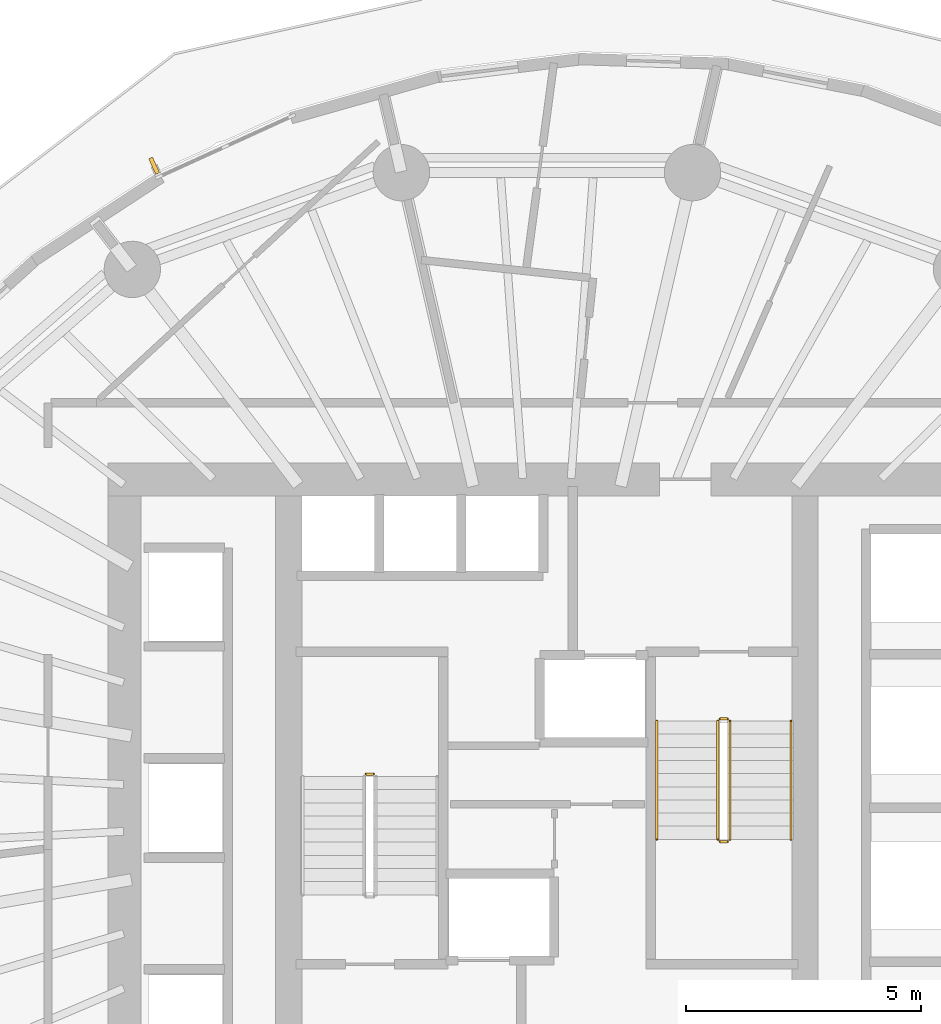
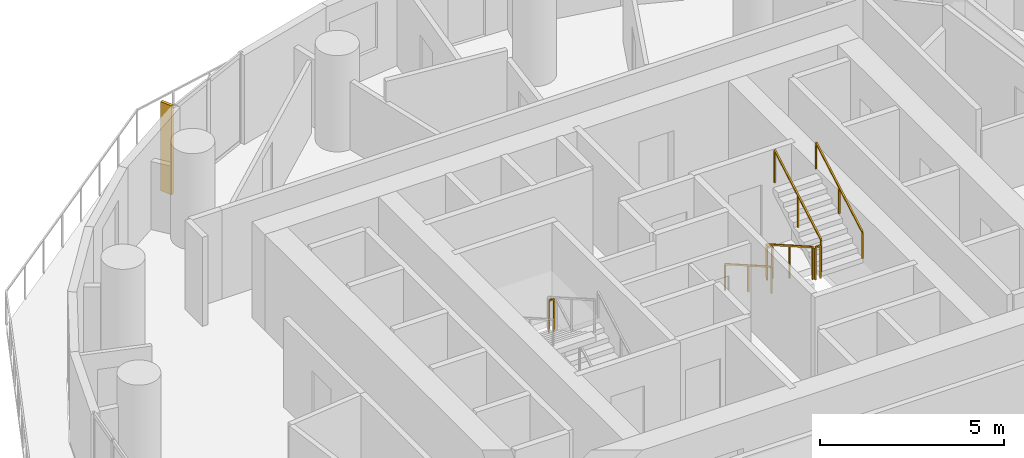
# One storey, part 13 of 14: 7 railings, 1 shading device.
"""IFC4 building model written with IfcOpenShell, lengths in metres."""

import ifcopenshell
import ifcopenshell.guid

model = None  # the IFC model being written
_history = None  # IfcOwnerHistory: only IFC2X3 demands one
_inside = {}  # id of a spatial element -> (the spatial element, [elements in it])
_under = {}  # id of a project, library or spatial element -> (it, [spatial elements below it])
_declared = {}  # id of a project -> (the project, [libraries it declares])
_typed = {}  # id of a type object -> (the type object, [elements of that type])
_made_of = {}  # id of a material, layer set ... -> (it, [elements and type objects made of it])


def new_model(schema):
    """Start an empty IFC model of exactly this schema.

    Asked for "IFC4X3", IfcOpenShell would pick the latest addendum, in which some entities
    have other attributes; the version numbers below select the first issue.
    IFC2X3 requires an IfcOwnerHistory on every rooted entity: one is made here for all.
    """
    global model, _history
    if schema == "IFC4X3":
        model = ifcopenshell.file(schema_version=(4, 3, 0, 0))
    else:
        model = ifcopenshell.file(schema=schema)
    _inside.clear()
    _under.clear()
    _declared.clear()
    _typed.clear()
    _made_of.clear()
    _history = None
    if model.schema == "IFC2X3":
        org = make("IfcOrganization", Name="unknown")
        user = make(
            "IfcPersonAndOrganization",
            ThePerson=make("IfcPerson", FamilyName="unknown"),
            TheOrganization=org,
        )
        app = make(
            "IfcApplication",
            ApplicationDeveloper=org,
            Version="unknown",
            ApplicationFullName="unknown",
            ApplicationIdentifier="unknown",
        )
        _history = make(
            "IfcOwnerHistory",
            OwningUser=user,
            OwningApplication=app,
            ChangeAction="ADDED",
            CreationDate=0,
        )
    return model


def make(cls, **values):
    """One entity of the class cls with the attributes given. An attribute that is None is left unset."""
    return model.create_entity(
        cls, **{name: value for name, value in values.items() if value is not None}
    )


def rooted(cls, **values):
    """An entity with a GlobalId (a new one), such as an element, a storey or a relation."""
    return make(cls, GlobalId=ifcopenshell.guid.new(), OwnerHistory=_history, **values)


def si_unit(unit_type, name, prefix=None):
    """IfcSIUnit, for example si_unit("LENGTHUNIT", "METRE", prefix="MILLI")."""
    return make("IfcSIUnit", UnitType=unit_type, Prefix=prefix, Name=name)


def assignment(units):
    """IfcUnitAssignment: the units of a project."""
    return None if units is None else make("IfcUnitAssignment", Units=units)


def point(xyz):
    """IfcCartesianPoint."""
    return None if xyz is None else make("IfcCartesianPoint", Coordinates=xyz)


def direction(xyz):
    """IfcDirection."""
    return None if xyz is None else make("IfcDirection", DirectionRatios=xyz)


def frame(location, z_axis=None, x_axis=None):
    """IfcAxis2Placement3D, a coordinate frame: its origin and axes. An axis left out is left unset."""
    return make(
        "IfcAxis2Placement3D",
        Location=point(location),
        Axis=direction(z_axis),
        RefDirection=direction(x_axis),
    )


def frame_2d(location, x_axis=None):
    """IfcAxis2Placement2D, a coordinate frame in the plane: its origin and x axis."""
    return make(
        "IfcAxis2Placement2D", Location=point(location), RefDirection=direction(x_axis)
    )


def origin():
    """The frame at (0, 0, 0) with its axes left unset."""
    return frame((0.0, 0.0, 0.0))


def origin_2d():
    """The frame at (0, 0) in the plane with its x axis left unset."""
    return frame_2d((0.0, 0.0))


def place(relative_to, where):
    """IfcLocalPlacement: puts the frame where relative to a parent placement (None: the world)."""
    return make(
        "IfcLocalPlacement", PlacementRelTo=relative_to, RelativePlacement=where
    )


def context(
    kind, dimensions, precision=None, world=None, true_north=None, identifier=None
):
    """IfcGeometricRepresentationContext, for example the 3D "Model" context."""
    return make(
        "IfcGeometricRepresentationContext",
        ContextIdentifier=identifier,
        ContextType=kind,
        CoordinateSpaceDimension=dimensions,
        Precision=precision,
        WorldCoordinateSystem=world,
        TrueNorth=true_north,
    )


def subcontext(parent, identifier, kind, view, scale=None):
    """IfcGeometricRepresentationSubContext, for example "Body" below "Model"."""
    return make(
        "IfcGeometricRepresentationSubContext",
        ContextIdentifier=identifier,
        ContextType=kind,
        ParentContext=parent,
        TargetScale=scale,
        TargetView=view,
    )


def project(units=None, contexts=None):
    """IfcProject with its units and contexts."""
    return rooted(
        "IfcProject",
        Name="project",
        RepresentationContexts=contexts,
        UnitsInContext=assignment(units),
    )


def spatial(cls, under=None, at=None, **own):
    """A site, building, storey or space (cls), placed at a placement, below another one or the project."""
    s = rooted(cls, ObjectPlacement=at, **own)
    if under is not None:
        _under.setdefault(under.id(), (under, []))[1].append(s)
    return s


def profile(cls, at=None, kind="AREA", **sizes):
    """A parametric profile (cls). Its sizes go by their IFC names, for example OverallWidth=200.0."""
    return make(cls, ProfileType=kind, Position=at, **sizes)


def rectangle(**sizes):
    """IfcRectangleProfileDef."""
    return profile("IfcRectangleProfileDef", **sizes)


def extrude(swept, where, along, depth):
    """IfcExtrudedAreaSolid: the profile swept, set in the frame where, extruded along a direction by depth."""
    return make(
        "IfcExtrudedAreaSolid",
        SweptArea=swept,
        Position=where,
        ExtrudedDirection=direction(along),
        Depth=depth,
    )


def shape(context_of_items, identifier, shape_type, items):
    """IfcShapeRepresentation: the items that make up one representation, for example the "Body"."""
    return make(
        "IfcShapeRepresentation",
        ContextOfItems=context_of_items,
        RepresentationIdentifier=identifier,
        RepresentationType=shape_type,
        Items=items,
    )


def material(Name=None, Category=None):
    """IfcMaterial."""
    return make("IfcMaterial", Name=Name, Category=Category)


def layer(
    of_material, thickness, ventilated=None, Name=None, Category=None, Priority=None
):
    """IfcMaterialLayer: one layer of a wall or slab, of a material (None: an air gap)."""
    return make(
        "IfcMaterialLayer",
        Material=of_material,
        LayerThickness=thickness,
        IsVentilated=ventilated,
        Name=Name,
        Category=Category,
        Priority=Priority,
    )


def layer_set(layers, Name=None):
    """IfcMaterialLayerSet."""
    return make("IfcMaterialLayerSet", MaterialLayers=layers, LayerSetName=Name)


def made_of(thing, what):
    """Note that an element or type object is made of a material, layer set ...; save() writes the relation."""
    if what is not None:
        _made_of.setdefault(what.id(), (what, []))[1].append(thing)
    return thing


def type_object(cls, material=None, **own):
    """A type object (cls), such as IfcWallType, which elements share."""
    return made_of(rooted(cls, **own), material)


def element(
    cls,
    number,
    at=None,
    inside=None,
    cuts=None,
    type_object=None,
    material=None,
    context=None,
    identifier="Body",
    shape_type=None,
    held_by="IfcProductDefinitionShape",
    body=None,
    shapes=None,
    **own,
):
    """One element of the class cls, such as IfcWall. Its Tag is "e" and its number.

    at: its placement. inside: the storey or other place that contains it. cuts: it is an
    opening in that element (IfcRelVoidsElement). A single representation is given by context,
    identifier, shape_type and body (its items); several are given by shapes. held_by: the class
    of the entity that holds the representations. save() writes the other relations.
    """
    e = rooted(cls, Tag="e%d" % number, ObjectPlacement=at, **own)
    if body is not None:
        shapes = [shape(context, identifier, shape_type, body)]
    if shapes is not None:
        e.Representation = make(held_by, Representations=shapes)
    if inside is not None:
        _inside.setdefault(inside.id(), (inside, []))[1].append(e)
    if cuts is not None:
        rooted(
            "IfcRelVoidsElement", RelatingBuildingElement=cuts, RelatedOpeningElement=e
        )
    if type_object is not None:
        _typed.setdefault(type_object.id(), (type_object, []))[1].append(e)
    return made_of(e, material)


def aggregate(whole, parts):
    """IfcRelAggregates: a whole, such as a stair, and the parts it consists of."""
    return rooted("IfcRelAggregates", RelatingObject=whole, RelatedObjects=parts)


def save(model, path):
    """Write the relations noted so far, then the file.

    IfcRelAggregates (storeys below a building ...), IfcRelContainedInSpatialStructure (elements
    in a storey), IfcRelDefinesByType, IfcRelAssociatesMaterial and IfcRelDeclares: one each for
    every whole, place, type object, material and project.
    """
    for whole, parts in _under.values():
        aggregate(whole, parts)
    for where, things in _inside.values():
        rooted(
            "IfcRelContainedInSpatialStructure",
            RelatedElements=things,
            RelatingStructure=where,
        )
    for kind, things in _typed.values():
        rooted("IfcRelDefinesByType", RelatedObjects=things, RelatingType=kind)
    for what, things in _made_of.values():
        rooted("IfcRelAssociatesMaterial", RelatedObjects=things, RelatingMaterial=what)
    for by, libraries in _declared.values():
        rooted("IfcRelDeclares", RelatingContext=by, RelatedDefinitions=libraries)
    model.write(path)


model = new_model("IFC4")

# Units and contexts
model_context = context("Model", 3, precision=1e-05, world=origin(), true_north=direction((0.0, 1.0)))
body_context = subcontext(model_context, "Body", "Model", "MODEL_VIEW")
ifc_project = project(units=[si_unit("LENGTHUNIT", "METRE"), si_unit("AREAUNIT", "SQUARE_METRE"), si_unit("VOLUMEUNIT", "CUBIC_METRE"), si_unit("PLANEANGLEUNIT", "RADIAN"), si_unit("MASSUNIT", "GRAM", prefix="KILO")], contexts=[model_context])

# Site, building, storey
site_placement = place(None, origin())
site = spatial("IfcSite", under=ifc_project, at=site_placement, CompositionType="ELEMENT")
building_placement = place(site_placement, origin())
building = spatial("IfcBuilding", under=site, at=building_placement, Name="Veldorim Arch Residences", CompositionType="ELEMENT")
storey_placement = place(building_placement, frame((0.0, 0.0, 86.8798828125)))
storey = spatial("IfcBuildingStorey", under=building, at=storey_placement, Name="L25", CompositionType="ELEMENT", Elevation=86.8798828125)

# Railings
ifc_material_1 = material(Name="Steel S355", Category="steel")
railing_type_1 = type_object("IfcRailingType", Name="Galvanised Steel Stair Safety Guardrail 1100", PredefinedType="GUARDRAIL", material=ifc_material_1)
railing_1_placement = place(storey_placement, frame((28.31005859375, 24.719970703125, 1.60009765625)))
element("IfcRailing", 1, at=railing_1_placement, inside=storey, type_object=railing_type_1, Name="L25 ST-1 stair guard 2", PredefinedType="GUARDRAIL", context=body_context, shape_type="SweptSolid", body=[
    extrude(rectangle(XDim=0.048095703125, YDim=0.048095703125, at=origin_2d()), frame((0.0, 0.0, 1.076171875), z_axis=(-1.0, 0.0, 0.0), x_axis=(0.0, -1.0, 0.0)), (0.0, 0.0, 1.0), 0.16015625),
    extrude(rectangle(XDim=0.0419921875, YDim=0.0419921875, at=origin_2d()), origin(), (0.0, 0.0, 1.0), 1.052001953125),
    extrude(rectangle(XDim=0.0419921875, YDim=0.0419921875, at=origin_2d()), frame((-0.16015625, 0.0, 0.0)), (0.0, 0.0, 1.0), 1.052001953125),
])
railing_2_placement = place(storey_placement, frame((35.639892578125, 25.85009765625, 0.16015625)))
element("IfcRailing", 2, at=railing_2_placement, inside=storey, type_object=railing_type_1, Name="L25 ST-2 stair guard 1", PredefinedType="GUARDRAIL", context=body_context, shape_type="SweptSolid", body=[
    extrude(rectangle(XDim=0.048095703125, YDim=0.048095703125, at=origin_2d()), frame((0.0, 0.0, 1.076171875), z_axis=(0.0, -0.868253494771, 0.496120820787), x_axis=(1.0, 0.0, 0.0)), (0.0, 0.0, 1.0), 2.90234375),
    extrude(rectangle(XDim=0.0419921875, YDim=0.0419921875, at=origin_2d()), origin(), (0.0, 0.0, 1.0), 1.052001953125),
    extrude(rectangle(XDim=0.0419921875, YDim=0.0419921875, at=origin_2d()), frame((0.0, -1.260009765625, 0.719970703125)), (0.0, 0.0, 1.0), 1.052001953125),
    extrude(rectangle(XDim=0.0419921875, YDim=0.0419921875, at=origin_2d()), frame((0.0, -2.52001953125, 1.43994140625)), (0.0, 0.0, 1.0), 1.052001953125),
])
railing_3_placement = place(storey_placement, frame((35.68994140625, 23.280029296875, 1.60009765625)))
element("IfcRailing", 3, at=railing_3_placement, inside=storey, type_object=railing_type_1, Name="L25 ST-2 stair guard 2", PredefinedType="GUARDRAIL", context=body_context, shape_type="SweptSolid", body=[
    extrude(rectangle(XDim=0.048095703125, YDim=0.048095703125, at=origin_2d()), frame((0.0, 0.0, 1.076171875), z_axis=(1.0, 0.0, 0.0), x_axis=(0.0, 1.0, 0.0)), (0.0, 0.0, 1.0), 0.16015625),
    extrude(rectangle(XDim=0.0419921875, YDim=0.0419921875, at=origin_2d()), origin(), (0.0, 0.0, 1.0), 1.052001953125),
    extrude(rectangle(XDim=0.0419921875, YDim=0.0419921875, at=origin_2d()), frame((0.16015625, 0.0, 0.0)), (0.0, 0.0, 1.0), 1.052001953125),
])
railing_4_placement = place(storey_placement, frame((35.89990234375, 23.330078125, 1.760009765625)))
element("IfcRailing", 4, at=railing_4_placement, inside=storey, type_object=railing_type_1, Name="L25 ST-2 stair guard 3", PredefinedType="GUARDRAIL", context=body_context, shape_type="SweptSolid", body=[
    extrude(rectangle(XDim=0.048095703125, YDim=0.048095703125, at=origin_2d()), frame((0.0, 0.0, 1.076171875), z_axis=(0.0, 0.868217259934, 0.496184229447), x_axis=(-1.0, 0.0, 0.0)), (0.0, 0.0, 1.0), 2.902587890625),
    extrude(rectangle(XDim=0.0419921875, YDim=0.0419921875, at=origin_2d()), origin(), (0.0, 0.0, 1.0), 1.052001953125),
    extrude(rectangle(XDim=0.0419921875, YDim=0.0419921875, at=origin_2d()), frame((0.0, 1.260009765625, 0.72021484375)), (0.0, 0.0, 1.0), 1.052001953125),
    extrude(rectangle(XDim=0.0419921875, YDim=0.0419921875, at=origin_2d()), frame((0.0, 2.52001953125, 1.440185546875)), (0.0, 0.0, 1.0), 1.052001953125),
])
railing_5_placement = place(storey_placement, frame((35.68994140625, 25.89990234375, 0.0)))
element("IfcRailing", 5, at=railing_5_placement, inside=storey, type_object=railing_type_1, Name="L25 ST-2 stair guard 4", PredefinedType="GUARDRAIL", context=body_context, shape_type="SweptSolid", body=[
    extrude(rectangle(XDim=0.048095703125, YDim=0.048095703125, at=origin_2d()), frame((0.0, 0.0, 1.076171875), z_axis=(1.0, 0.0, 0.0), x_axis=(0.0, 1.0, 0.0)), (0.0, 0.0, 1.0), 0.16015625),
    extrude(rectangle(XDim=0.0419921875, YDim=0.0419921875, at=origin_2d()), origin(), (0.0, 0.0, 1.0), 1.052001953125),
    extrude(rectangle(XDim=0.0419921875, YDim=0.0419921875, at=origin_2d()), frame((0.16015625, 0.0, 0.0)), (0.0, 0.0, 1.0), 1.052001953125),
])
ifc_material_2 = material(Name="Stainless Steel", Category="steel")
railing_type_2 = type_object("IfcRailingType", Name="Tubular Steel Continuous Wall Handrail 900", PredefinedType="HANDRAIL", material=ifc_material_2)
railing_6_placement = place(storey_placement, frame((34.340087890625, 25.85009765625, 0.16015625)))
element("IfcRailing", 6, at=railing_6_placement, inside=storey, type_object=railing_type_2, Name="L25 ST-2 stair handrail 1", PredefinedType="HANDRAIL", context=body_context, shape_type="SweptSolid", body=[
    extrude(rectangle(XDim=0.048095703125, YDim=0.048095703125, at=origin_2d()), frame((0.0, 0.0, 0.8759765625), z_axis=(0.0, -0.868253494771, 0.496120820787), x_axis=(1.0, 0.0, 0.0)), (0.0, 0.0, 1.0), 2.90234375),
    extrude(rectangle(XDim=0.0419921875, YDim=0.0419921875, at=origin_2d()), origin(), (0.0, 0.0, 1.0), 0.851806640625),
    extrude(rectangle(XDim=0.0419921875, YDim=0.0419921875, at=origin_2d()), frame((0.0, -1.260009765625, 0.719970703125)), (0.0, 0.0, 1.0), 0.851806640625),
    extrude(rectangle(XDim=0.0419921875, YDim=0.0419921875, at=origin_2d()), frame((0.0, -2.52001953125, 1.43994140625)), (0.0, 0.0, 1.0), 0.851806640625),
])
railing_7_placement = place(storey_placement, frame((37.199951171875, 23.330078125, 1.760009765625)))
element("IfcRailing", 7, at=railing_7_placement, inside=storey, type_object=railing_type_2, Name="L25 ST-2 stair handrail 2", PredefinedType="HANDRAIL", context=body_context, shape_type="SweptSolid", body=[
    extrude(rectangle(XDim=0.048095703125, YDim=0.048095703125, at=origin_2d()), frame((0.0, 0.0, 0.8759765625), z_axis=(0.0, 0.868217259934, 0.496184229447), x_axis=(-1.0, 0.0, 0.0)), (0.0, 0.0, 1.0), 2.902587890625),
    extrude(rectangle(XDim=0.0419921875, YDim=0.0419921875, at=origin_2d()), origin(), (0.0, 0.0, 1.0), 0.851806640625),
    extrude(rectangle(XDim=0.0419921875, YDim=0.0419921875, at=origin_2d()), frame((0.0, 1.260009765625, 0.72021484375)), (0.0, 0.0, 1.0), 0.851806640625),
    extrude(rectangle(XDim=0.0419921875, YDim=0.0419921875, at=origin_2d()), frame((0.0, 2.52001953125, 1.440185546875)), (0.0, 0.0, 1.0), 0.851806640625),
])

# Shading device
ifc_material_3 = material(Name="Terracotta Ceramic", Category="masonry")
ifc_layer = layer(ifc_material_3, 0.090087890625, Name="Vertical Extruded Terracotta Baguette Sun-Shading Fin")
ifc_layer_set = layer_set([ifc_layer], Name="Terracotta Ceramic")
shading_device_type = type_object("IfcShadingDeviceType", Name="Vertical Extruded Terracotta Baguette Sun-Shading Fin", PredefinedType="USERDEFINED", material=ifc_layer_set)
shading_device_placement = place(storey_placement, frame((23.630615234375, 37.683349609375, 0.000244140625), z_axis=(0.0, 0.0, 1.0), x_axis=(0.909961270877, 0.414693242656, 0.0)))
element("IfcShadingDevice", 8, at=shading_device_placement, inside=storey, type_object=shading_device_type, Name="L25 vertical terracotta sun-shading fin 10", ObjectType="FIN", PredefinedType="USERDEFINED", context=body_context, shape_type="SweptSolid", body=[
    extrude(rectangle(XDim=0.090087890625, YDim=0.360107421875, at=origin_2d()), origin(), (0.0, 0.0, 1.0), 2.9599609375),
])

save(model, "model.ifc")
